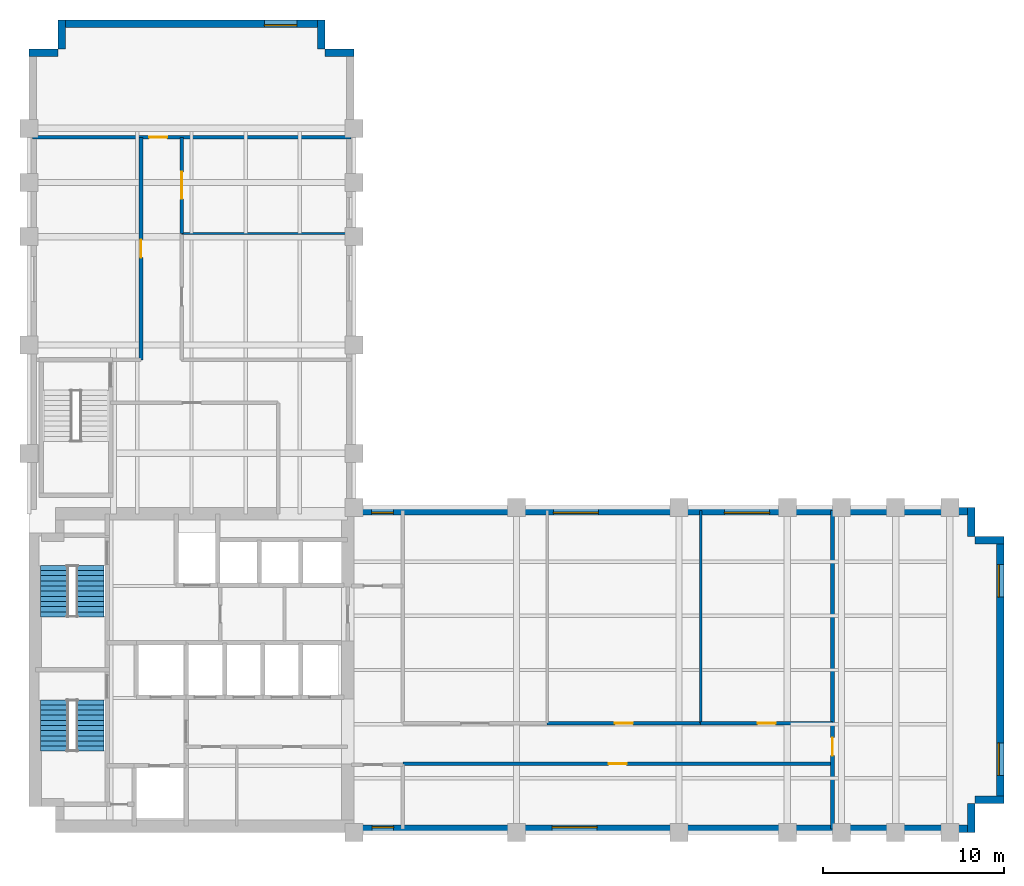
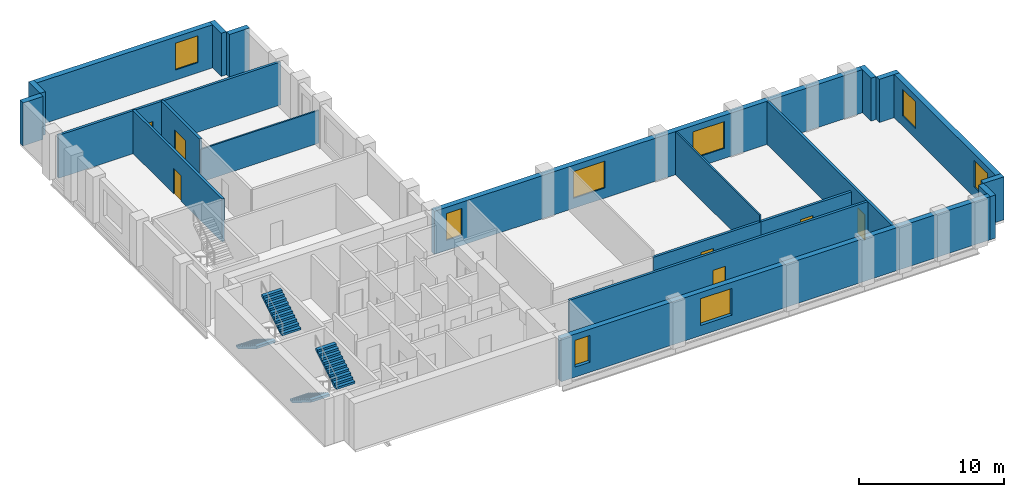
# One storey, part 5 of 7: 21 walls, 8 windows, 7 doors, 4 stair flights, 15 openings, 2 elements without a shape of their own.
"""IFC4 building model written with IfcOpenShell, lengths in metres."""

from ifc_helpers import new_model, si_unit, direction, frame, frame_2d, origin, place, context, subcontext, project, spatial, polyline, rectangle, outline, extrude, material, layer, layer_set, type_object, element, fill, aggregate, save


model = new_model("IFC4")

# Units and contexts
model_context = context("Model", 3, precision=1e-05, world=origin(), true_north=direction((0.0, 1.0)))
body_context = subcontext(model_context, "Body", "Model", "MODEL_VIEW")
ifc_project = project(units=[si_unit("LENGTHUNIT", "METRE"), si_unit("AREAUNIT", "SQUARE_METRE"), si_unit("VOLUMEUNIT", "CUBIC_METRE"), si_unit("PLANEANGLEUNIT", "RADIAN"), si_unit("MASSUNIT", "GRAM", prefix="KILO")], contexts=[model_context])

# Site, building, storey
site_placement = place(None, origin())
site = spatial("IfcSite", under=ifc_project, at=site_placement, CompositionType="ELEMENT")
building_placement = place(site_placement, origin())
building = spatial("IfcBuilding", under=site, at=building_placement, Name="Mawjdan Bourse Tower", CompositionType="ELEMENT")
storey_placement = place(building_placement, frame((0.0, 0.0, 151.800048828125)))
storey = spatial("IfcBuildingStorey", under=building, at=storey_placement, Name="L36", CompositionType="ELEMENT", Elevation=151.800048828125)

# Wall, openings, windows
ifc_material_1 = material(Name="Brick Masonry Buff", Category="masonry")
ifc_layer_1 = layer(ifc_material_1, 0.419921875)
ifc_layer_set_1 = layer_set([ifc_layer_1], Name="Brick Masonry Buff")
wall_type_1 = type_object("IfcWallType", Name="WL-BRK-BUFF-420", PredefinedType="STANDARD", material=ifc_layer_set_1)
wall_1_placement = place(storey_placement, frame((23.89990234375, 3.2099609375, 0.0), z_axis=(0.0, 0.0, 1.0), x_axis=(1.0, 0.0, 0.0)))
wall_1 = element("IfcWall", 1, at=wall_1_placement, inside=storey, type_object=wall_type_1, Name="L36 Exterior Brick Wall 1", PredefinedType="STANDARD", context=body_context, shape_type="SweptSolid", body=[
    extrude(rectangle(XDim=34.5, YDim=0.419921875, at=frame_2d((17.25, 0.0))), origin(), (0.0, 0.0, 1.0), 3.619873046875),
])
opening_1_placement = place(wall_1_placement, frame((11.0712890625, 0.0, 0.85009765625)))
opening_1 = element("IfcOpeningElement", 2, at=opening_1_placement, cuts=wall_1, Name="Opening W-L36-01", PredefinedType="OPENING", context=body_context, shape_type="SweptSolid", body=[
    extrude(rectangle(XDim=2.5, YDim=2.25, at=frame_2d((1.25, 1.125))), frame((0.0, 0.219970703125, 0.0), z_axis=(0.0, -1.0, 0.0), x_axis=(1.0, 0.0, 0.0)), (0.0, 0.0, 1.0), 0.43994140625),
])
opening_2_placement = place(wall_1_placement, frame((1.10009765625, 0.0, 0.85009765625)))
opening_2 = element("IfcOpeningElement", 3, at=opening_2_placement, cuts=wall_1, Name="Opening W-L36-08", PredefinedType="OPENING", context=body_context, shape_type="SweptSolid", body=[
    extrude(rectangle(XDim=1.199951171875, YDim=2.25, at=frame_2d((0.60009765625, 1.125))), frame((0.0, 0.219970703125, 0.0), z_axis=(0.0, -1.0, 0.0), x_axis=(1.0, 0.0, 0.0)), (0.0, 0.0, 1.0), 0.43994140625),
])
ifc_material_2 = material(Name="Solar-Control Clear Double Glazing", Category="glass")
window_type_1 = type_object("IfcWindowType", Name="WN-Z2-1200", PartitioningType="SINGLE_PANEL", PredefinedType="WINDOW", material=ifc_material_2)
window_1_placement = place(opening_2_placement, origin())
window_1 = element("IfcWindow", 4, at=window_1_placement, inside=storey, type_object=window_type_1, Name="L36 Deep-Set Masonry Window W-L36-08", OverallHeight=2.25, OverallWidth=1.199951171875, PartitioningType="SINGLE_PANEL", PredefinedType="WINDOW", context=body_context, shape_type="SweptSolid", body=[
    extrude(rectangle(XDim=1.199951171875, YDim=2.25, at=frame_2d((0.60009765625, 1.125))), frame((0.0, 0.110107421875, 0.0), z_axis=(0.0, -1.0, 0.0), x_axis=(1.0, 0.0, 0.0)), (0.0, 0.0, 1.0), 0.06005859375),
])
fill(opening_2, window_1)
window_type_2 = type_object("IfcWindowType", Name="WN-Z2-2500", PartitioningType="SINGLE_PANEL", PredefinedType="WINDOW", material=ifc_material_2)
window_2_placement = place(opening_1_placement, origin())
window_2 = element("IfcWindow", 5, at=window_2_placement, inside=storey, type_object=window_type_2, Name="L36 Deep-Set Masonry Window W-L36-01", OverallHeight=2.25, OverallWidth=2.5, PartitioningType="SINGLE_PANEL", PredefinedType="WINDOW", context=body_context, shape_type="SweptSolid", body=[
    extrude(rectangle(XDim=2.5, YDim=2.25, at=frame_2d((1.25, 1.125))), frame((0.0, 0.110107421875, 0.0), z_axis=(0.0, -1.0, 0.0), x_axis=(1.0, 0.0, 0.0)), (0.0, 0.0, 1.0), 0.06005859375),
])
fill(opening_1, window_2)

# Walls
for number, where, z_axis, x_axis, name in (
    (6, (58.18994140625, 3.0, 0.0), (0.0, 0.0, 1.0), (0.0, 1.0, 0.0), "L36 Exterior Brick Wall 2"),
    (7, (58.39990234375, 4.81005859375, 0.0), (0.0, 0.0, 1.0), (1.0, 0.0, 0.0), "L36 Exterior Brick Wall 3"),
):
    element("IfcWall", number, at=place(storey_placement, frame(where, z_axis=z_axis, x_axis=x_axis)), inside=storey, type_object=wall_type_1, Name=name, PredefinedType="STANDARD", context=body_context, shape_type="SweptSolid", body=[
        extrude(rectangle(XDim=1.60009765625, YDim=0.419921875, at=frame_2d((0.800048828125, 0.0))), origin(), (0.0, 0.0, 1.0), 3.619873046875),
    ])

# Wall, openings, windows
wall_2_placement = place(storey_placement, frame((59.7900390625, 4.60009765625, 0.0), z_axis=(0.0, 0.0, 1.0), x_axis=(0.0, 1.0, 0.0)))
wall_2 = element("IfcWall", 8, at=wall_2_placement, inside=storey, type_object=wall_type_1, Name="L36 Exterior Brick Wall 4", PredefinedType="STANDARD", context=body_context, shape_type="SweptSolid", body=[
    extrude(rectangle(XDim=14.7998046875, YDim=0.419921875, at=frame_2d((7.39990234375, 0.0))), origin(), (0.0, 0.0, 1.0), 3.619873046875),
])
opening_3_placement = place(wall_2_placement, frame((1.566650390625, 0.0, 0.85009765625)))
opening_3 = element("IfcOpeningElement", 9, at=opening_3_placement, cuts=wall_2, Name="Opening W-L36-02", PredefinedType="OPENING", context=body_context, shape_type="SweptSolid", body=[
    extrude(rectangle(XDim=1.800048828125, YDim=2.25, at=frame_2d((0.89990234375, 1.125))), frame((0.0, 0.219970703125, 0.0), z_axis=(0.0, -1.0, 0.0), x_axis=(1.0, 0.0, 0.0)), (0.0, 0.0, 1.0), 0.43994140625),
])
opening_4_placement = place(wall_2_placement, frame((11.433349609375, 0.0, 0.85009765625)))
opening_4 = element("IfcOpeningElement", 10, at=opening_4_placement, cuts=wall_2, Name="Opening W-L36-03", PredefinedType="OPENING", context=body_context, shape_type="SweptSolid", body=[
    extrude(rectangle(XDim=1.800048828125, YDim=2.25, at=frame_2d((0.89990234375, 1.125))), frame((0.0, 0.219970703125, 0.0), z_axis=(0.0, -1.0, 0.0), x_axis=(1.0, 0.0, 0.0)), (0.0, 0.0, 1.0), 0.43994140625),
])
window_type_3 = type_object("IfcWindowType", Name="WN-Z2-1800", PartitioningType="SINGLE_PANEL", PredefinedType="WINDOW", material=ifc_material_2)
window_3_placement = place(opening_3_placement, origin())
window_3 = element("IfcWindow", 11, at=window_3_placement, inside=storey, type_object=window_type_3, Name="L36 Deep-Set Masonry Window W-L36-02", OverallHeight=2.25, OverallWidth=1.800048828125, PartitioningType="SINGLE_PANEL", PredefinedType="WINDOW", context=body_context, shape_type="SweptSolid", body=[
    extrude(rectangle(XDim=1.800048828125, YDim=2.25, at=frame_2d((0.89990234375, 1.125))), frame((0.0, 0.110107421875, 0.0), z_axis=(0.0, -1.0, 0.0), x_axis=(1.0, 0.0, 0.0)), (0.0, 0.0, 1.0), 0.06005859375),
])
fill(opening_3, window_3)
window_4_placement = place(opening_4_placement, origin())
window_4 = element("IfcWindow", 12, at=window_4_placement, inside=storey, type_object=window_type_3, Name="L36 Deep-Set Masonry Window W-L36-03", OverallHeight=2.25, OverallWidth=1.800048828125, PartitioningType="SINGLE_PANEL", PredefinedType="WINDOW", context=body_context, shape_type="SweptSolid", body=[
    extrude(rectangle(XDim=1.800048828125, YDim=2.25, at=frame_2d((0.89990234375, 1.125))), frame((0.0, 0.110107421875, 0.0), z_axis=(0.0, -1.0, 0.0), x_axis=(1.0, 0.0, 0.0)), (0.0, 0.0, 1.0), 0.06005859375),
])
fill(opening_4, window_4)

# Walls
for number, where, z_axis, x_axis, name in (
    (13, (60.0, 19.18994140625, 0.0), (0.0, 0.0, 1.0), (-1.0, 0.0, 0.0), "L36 Exterior Brick Wall 5"),
    (14, (58.18994140625, 19.39990234375, 0.0), (0.0, 0.0, 1.0), (0.0, 1.0, 0.0), "L36 Exterior Brick Wall 6"),
):
    element("IfcWall", number, at=place(storey_placement, frame(where, z_axis=z_axis, x_axis=x_axis)), inside=storey, type_object=wall_type_1, Name=name, PredefinedType="STANDARD", context=body_context, shape_type="SweptSolid", body=[
        extrude(rectangle(XDim=1.60009765625, YDim=0.419921875, at=frame_2d((0.800048828125, 0.0))), origin(), (0.0, 0.0, 1.0), 3.619873046875),
    ])

# Wall, openings, windows
wall_3_placement = place(storey_placement, frame((58.39990234375, 20.7900390625, 0.0), z_axis=(0.0, 0.0, 1.0), x_axis=(-1.0, 0.0, 0.0)))
wall_3 = element("IfcWall", 15, at=wall_3_placement, inside=storey, type_object=wall_type_1, Name="L36 Exterior Brick Wall 7", PredefinedType="STANDARD", context=body_context, shape_type="SweptSolid", body=[
    extrude(rectangle(XDim=34.39990234375, YDim=0.419921875, at=frame_2d((17.199951171875, 0.0))), origin(), (0.0, 0.0, 1.0), 3.619873046875),
])
opening_5_placement = place(wall_3_placement, frame((20.8642578125, 0.0, 0.85009765625)))
opening_5 = element("IfcOpeningElement", 16, at=opening_5_placement, cuts=wall_3, Name="Opening W-L36-04", PredefinedType="OPENING", context=body_context, shape_type="SweptSolid", body=[
    extrude(rectangle(XDim=2.5, YDim=2.25, at=frame_2d((1.25, 1.125))), frame((0.0, 0.219970703125, 0.0), z_axis=(0.0, -1.0, 0.0), x_axis=(1.0, 0.0, 0.0)), (0.0, 0.0, 1.0), 0.43994140625),
])
opening_6_placement = place(wall_3_placement, frame((32.22216796875, 0.0, 0.85009765625)))
opening_6 = element("IfcOpeningElement", 17, at=opening_6_placement, cuts=wall_3, Name="Opening W-L36-09", PredefinedType="OPENING", context=body_context, shape_type="SweptSolid", body=[
    extrude(rectangle(XDim=1.199951171875, YDim=2.25, at=frame_2d((0.60009765625, 1.125))), frame((0.0, 0.219970703125, 0.0), z_axis=(0.0, -1.0, 0.0), x_axis=(1.0, 0.0, 0.0)), (0.0, 0.0, 1.0), 0.43994140625),
])
opening_7_placement = place(wall_3_placement, frame((11.38623046875, 0.0, 0.85009765625)))
opening_7 = element("IfcOpeningElement", 18, at=opening_7_placement, cuts=wall_3, Name="Opening W-L36-10", PredefinedType="OPENING", context=body_context, shape_type="SweptSolid", body=[
    extrude(rectangle(XDim=2.5, YDim=2.25, at=frame_2d((1.25, 1.125))), frame((0.0, 0.219970703125, 0.0), z_axis=(0.0, -1.0, 0.0), x_axis=(1.0, 0.0, 0.0)), (0.0, 0.0, 1.0), 0.43994140625),
])
window_5_placement = place(opening_6_placement, origin())
window_5 = element("IfcWindow", 19, at=window_5_placement, inside=storey, type_object=window_type_1, Name="L36 Deep-Set Masonry Window W-L36-09", OverallHeight=2.25, OverallWidth=1.199951171875, PartitioningType="SINGLE_PANEL", PredefinedType="WINDOW", context=body_context, shape_type="SweptSolid", body=[
    extrude(rectangle(XDim=1.199951171875, YDim=2.25, at=frame_2d((0.60009765625, 1.125))), frame((0.0, 0.110107421875, 0.0), z_axis=(0.0, -1.0, 0.0), x_axis=(1.0, 0.0, 0.0)), (0.0, 0.0, 1.0), 0.06005859375),
])
fill(opening_6, window_5)
window_6_placement = place(opening_5_placement, origin())
window_6 = element("IfcWindow", 20, at=window_6_placement, inside=storey, type_object=window_type_2, Name="L36 Deep-Set Masonry Window W-L36-04", OverallHeight=2.25, OverallWidth=2.5, PartitioningType="SINGLE_PANEL", PredefinedType="WINDOW", context=body_context, shape_type="SweptSolid", body=[
    extrude(rectangle(XDim=2.5, YDim=2.25, at=frame_2d((1.25, 1.125))), frame((0.0, 0.110107421875, 0.0), z_axis=(0.0, -1.0, 0.0), x_axis=(1.0, 0.0, 0.0)), (0.0, 0.0, 1.0), 0.06005859375),
])
fill(opening_5, window_6)
window_7_placement = place(opening_7_placement, origin())
window_7 = element("IfcWindow", 21, at=window_7_placement, inside=storey, type_object=window_type_2, Name="L36 Deep-Set Masonry Window W-L36-10", OverallHeight=2.25, OverallWidth=2.5, PartitioningType="SINGLE_PANEL", PredefinedType="WINDOW", context=body_context, shape_type="SweptSolid", body=[
    extrude(rectangle(XDim=2.5, YDim=2.25, at=frame_2d((1.25, 1.125))), frame((0.0, 0.110107421875, 0.0), z_axis=(0.0, -1.0, 0.0), x_axis=(1.0, 0.0, 0.0)), (0.0, 0.0, 1.0), 0.06005859375),
])
fill(opening_7, window_7)

# Walls
for number, where, z_axis, x_axis, name in (
    (22, (24.0, 46.18994140625, 0.0), (0.0, 0.0, 1.0), (-1.0, 0.0, 0.0), "L36 Exterior Brick Wall 9"),
    (23, (22.18994140625, 46.39990234375, 0.0), (0.0, 0.0, 1.0), (0.0, 1.0, 0.0), "L36 Exterior Brick Wall 10"),
):
    element("IfcWall", number, at=place(storey_placement, frame(where, z_axis=z_axis, x_axis=x_axis)), inside=storey, type_object=wall_type_1, Name=name, PredefinedType="STANDARD", context=body_context, shape_type="SweptSolid", body=[
        extrude(rectangle(XDim=1.60009765625, YDim=0.419921875, at=frame_2d((0.800048828125, 0.0))), origin(), (0.0, 0.0, 1.0), 3.619873046875),
    ])

# Wall, opening, window
wall_4_placement = place(storey_placement, frame((22.39990234375, 47.7900390625, 0.0), z_axis=(0.0, 0.0, 1.0), x_axis=(-1.0, 0.0, 0.0)))
wall_4 = element("IfcWall", 24, at=wall_4_placement, inside=storey, type_object=wall_type_1, Name="L36 Exterior Brick Wall 11", PredefinedType="STANDARD", context=body_context, shape_type="SweptSolid", body=[
    extrude(rectangle(XDim=14.7998046875, YDim=0.419921875, at=frame_2d((7.39990234375, 0.0))), origin(), (0.0, 0.0, 1.0), 3.619873046875),
])
opening_8_placement = place(wall_4_placement, frame((1.566650390625, 0.0, 0.85009765625)))
opening_8 = element("IfcOpeningElement", 25, at=opening_8_placement, cuts=wall_4, Name="Opening W-L36-06", PredefinedType="OPENING", context=body_context, shape_type="SweptSolid", body=[
    extrude(rectangle(XDim=1.800048828125, YDim=2.25, at=frame_2d((0.89990234375, 1.125))), frame((0.0, 0.219970703125, 0.0), z_axis=(0.0, -1.0, 0.0), x_axis=(1.0, 0.0, 0.0)), (0.0, 0.0, 1.0), 0.43994140625),
])
window_8_placement = place(opening_8_placement, origin())
window_8 = element("IfcWindow", 26, at=window_8_placement, inside=storey, type_object=window_type_3, Name="L36 Deep-Set Masonry Window W-L36-06", OverallHeight=2.25, OverallWidth=1.800048828125, PartitioningType="SINGLE_PANEL", PredefinedType="WINDOW", context=body_context, shape_type="SweptSolid", body=[
    extrude(rectangle(XDim=1.800048828125, YDim=2.25, at=frame_2d((0.89990234375, 1.125))), frame((0.0, 0.110107421875, 0.0), z_axis=(0.0, -1.0, 0.0), x_axis=(1.0, 0.0, 0.0)), (0.0, 0.0, 1.0), 0.06005859375),
])
fill(opening_8, window_8)

# Walls
for number, where, z_axis, x_axis, name in (
    (27, (7.81005859375, 48.0, 0.0), (0.0, 0.0, 1.0), (0.0, -1.0, 0.0), "L36 Exterior Brick Wall 12"),
    (28, (7.60009765625, 46.18994140625, 0.0), (0.0, 0.0, 1.0), (-1.0, 0.0, 0.0), "L36 Exterior Brick Wall 13"),
):
    element("IfcWall", number, at=place(storey_placement, frame(where, z_axis=z_axis, x_axis=x_axis)), inside=storey, type_object=wall_type_1, Name=name, PredefinedType="STANDARD", context=body_context, shape_type="SweptSolid", body=[
        extrude(rectangle(XDim=1.60009765625, YDim=0.419921875, at=frame_2d((0.800048828125, 0.0))), origin(), (0.0, 0.0, 1.0), 3.619873046875),
    ])

# Wall, opening, door
ifc_material_3 = material(Name="Gypsum Fireboard Assembly")
ifc_layer_2 = layer(ifc_material_3, 0.199951171875)
ifc_layer_set_2 = layer_set([ifc_layer_2], Name="Gypsum Fireboard Assembly")
wall_type_2 = type_object("IfcWallType", Name="WL-CMP-200", PredefinedType="PARTITIONING", material=ifc_layer_set_2)
wall_5_placement = place(storey_placement, frame((26.699951171875, 6.800048828125, 0.0), z_axis=(0.0, 0.0, 1.0), x_axis=(1.0, 0.0, 0.0)))
wall_5 = element("IfcWall", 29, at=wall_5_placement, inside=storey, type_object=wall_type_2, Name="L36 Equities Research Library Corridor Wall", PredefinedType="PARTITIONING", context=body_context, shape_type="SweptSolid", body=[
    extrude(rectangle(XDim=23.800048828125, YDim=0.199951171875, at=frame_2d((11.89990234375, 0.0))), origin(), (0.0, 0.0, 1.0), 3.60986328125),
])
opening_9_placement = place(wall_5_placement, frame((11.39990234375, 0.0, 0.0)))
opening_9 = element("IfcOpeningElement", 30, at=opening_9_placement, cuts=wall_5, Name="Opening D-L36-21", PredefinedType="OPENING", context=body_context, shape_type="SweptSolid", body=[
    extrude(rectangle(XDim=1.0, YDim=2.14990234375, at=frame_2d((0.5, 1.074951171875))), frame((0.0, 0.10986328125, 0.0), z_axis=(0.0, -1.0, 0.0), x_axis=(1.0, 0.0, 0.0)), (0.0, 0.0, 1.0), 0.219970703125),
])
ifc_material_4 = material(Name="Hardwood Acoustic Leaf", Category="wood")
door_type_1 = type_object("IfcDoorType", Name="DR-OFC-1000", OperationType="NOTDEFINED", PredefinedType="DOOR", material=ifc_material_4)
door_1_placement = place(opening_9_placement, origin())
door_1 = element("IfcDoor", 31, at=door_1_placement, inside=storey, type_object=door_type_1, Name="L36 Equities Research Library Door D-L36-21", OperationType="SINGLE_SWING_RIGHT", OverallHeight=2.14990234375, OverallWidth=1.0, PredefinedType="DOOR", context=body_context, shape_type="SweptSolid", body=[
    extrude(rectangle(XDim=1.0, YDim=2.14990234375, at=frame_2d((0.5, 1.074951171875))), frame((0.0, 0.02490234375, 0.0), z_axis=(0.0, -1.0, 0.0), x_axis=(1.0, 0.0, 0.0)), (0.0, 0.0, 1.0), 0.050048828125),
])
fill(opening_9, door_1)

wall_6_placement = place(storey_placement, frame((34.699951171875, 9.050048828125, 0.0), z_axis=(0.0, 0.0, 1.0), x_axis=(1.0, 0.0, 0.0)))
wall_6 = element("IfcWall", 32, at=wall_6_placement, inside=storey, type_object=wall_type_2, Name="L36 Executive Office Corridor Wall", PredefinedType="PARTITIONING", context=body_context, shape_type="SweptSolid", body=[
    extrude(rectangle(XDim=8.5, YDim=0.199951171875, at=frame_2d((4.25, 0.0))), origin(), (0.0, 0.0, 1.0), 3.06591796875),
])
opening_10_placement = place(wall_6_placement, frame((3.75, 0.0, 0.0)))
opening_10 = element("IfcOpeningElement", 33, at=opening_10_placement, cuts=wall_6, Name="Opening D-L36-23", PredefinedType="OPENING", context=body_context, shape_type="SweptSolid", body=[
    extrude(rectangle(XDim=1.0, YDim=2.14990234375, at=frame_2d((0.5, 1.074951171875))), frame((0.0, 0.10986328125, 0.0), z_axis=(0.0, -1.0, 0.0), x_axis=(1.0, 0.0, 0.0)), (0.0, 0.0, 1.0), 0.219970703125),
])
door_2_placement = place(opening_10_placement, origin())
door_2 = element("IfcDoor", 34, at=door_2_placement, inside=storey, type_object=door_type_1, Name="L36 Executive Office Door D-L36-23", OperationType="SINGLE_SWING_LEFT", OverallHeight=2.14990234375, OverallWidth=1.0, PredefinedType="DOOR", context=body_context, shape_type="SweptSolid", body=[
    extrude(rectangle(XDim=1.0, YDim=2.14990234375, at=frame_2d((0.5, 1.074951171875))), frame((0.0, 0.02490234375, 0.0), z_axis=(0.0, -1.0, 0.0), x_axis=(1.0, 0.0, 0.0)), (0.0, 0.0, 1.0), 0.050048828125),
])
fill(opening_10, door_2)

wall_7_placement = place(storey_placement, frame((43.199951171875, 9.050048828125, 0.0), z_axis=(0.0, 0.0, 1.0), x_axis=(1.0, 0.0, 0.0)))
wall_7 = element("IfcWall", 35, at=wall_7_placement, inside=storey, type_object=wall_type_2, Name="L36 Client Advisory Suite Corridor Wall", PredefinedType="PARTITIONING", context=body_context, shape_type="SweptSolid", body=[
    extrude(rectangle(XDim=7.300048828125, YDim=0.199951171875, at=frame_2d((3.64990234375, 0.0))), origin(), (0.0, 0.0, 1.0), 3.06591796875),
])
opening_11_placement = place(wall_7_placement, frame((3.14990234375, 0.0, 0.0)))
opening_11 = element("IfcOpeningElement", 36, at=opening_11_placement, cuts=wall_7, Name="Opening D-L36-24", PredefinedType="OPENING", context=body_context, shape_type="SweptSolid", body=[
    extrude(rectangle(XDim=1.0, YDim=2.14990234375, at=frame_2d((0.5, 1.074951171875))), frame((0.0, 0.10986328125, 0.0), z_axis=(0.0, -1.0, 0.0), x_axis=(1.0, 0.0, 0.0)), (0.0, 0.0, 1.0), 0.219970703125),
])
door_3_placement = place(opening_11_placement, origin())
door_3 = element("IfcDoor", 37, at=door_3_placement, inside=storey, type_object=door_type_1, Name="L36 Client Advisory Suite Door D-L36-24", OperationType="SINGLE_SWING_RIGHT", OverallHeight=2.14990234375, OverallWidth=1.0, PredefinedType="DOOR", context=body_context, shape_type="SweptSolid", body=[
    extrude(rectangle(XDim=1.0, YDim=2.14990234375, at=frame_2d((0.5, 1.074951171875))), frame((0.0, 0.02490234375, 0.0), z_axis=(0.0, -1.0, 0.0), x_axis=(1.0, 0.0, 0.0)), (0.0, 0.0, 1.0), 0.050048828125),
])
fill(opening_11, door_3)

wall_8_placement = place(storey_placement, frame((50.5, 3.179931640625, 0.0), z_axis=(0.0, 0.0, 1.0), x_axis=(0.0, 1.0, 0.0)))
wall_8 = element("IfcWall", 38, at=wall_8_placement, inside=storey, type_object=wall_type_2, Name="L36 East Tip Full Cross Wall", PredefinedType="PARTITIONING", context=body_context, shape_type="SweptSolid", body=[
    extrude(rectangle(XDim=17.64013671875, YDim=0.199951171875, at=frame_2d((8.820068359375, 0.0))), origin(), (0.0, 0.0, 1.0), 3.60986328125),
])
opening_12_placement = place(wall_8_placement, frame((4.074951171875, 0.0, 0.0)))
opening_12 = element("IfcOpeningElement", 39, at=opening_12_placement, cuts=wall_8, Name="Opening D-L36-25", PredefinedType="OPENING", context=body_context, shape_type="SweptSolid", body=[
    extrude(rectangle(XDim=1.0, YDim=2.14990234375, at=frame_2d((0.5, 1.074951171875))), frame((0.0, 0.10986328125, 0.0), z_axis=(0.0, -1.0, 0.0), x_axis=(1.0, 0.0, 0.0)), (0.0, 0.0, 1.0), 0.219970703125),
])
door_4_placement = place(opening_12_placement, origin())
door_4 = element("IfcDoor", 40, at=door_4_placement, inside=storey, type_object=door_type_1, Name="L36 East Tip Hall Door D-L36-25", OperationType="SINGLE_SWING_LEFT", OverallHeight=2.14990234375, OverallWidth=1.0, PredefinedType="DOOR", context=body_context, shape_type="SweptSolid", body=[
    extrude(rectangle(XDim=1.0, YDim=2.14990234375, at=frame_2d((0.5, 1.074951171875))), frame((0.0, 0.02490234375, 0.0), z_axis=(0.0, -1.0, 0.0), x_axis=(1.0, 0.0, 0.0)), (0.0, 0.0, 1.0), 0.050048828125),
])
fill(opening_12, door_4)

wall_9_placement = place(storey_placement, frame((12.199951171875, 29.179931640625, 0.0), z_axis=(0.0, 0.0, 1.0), x_axis=(0.0, 1.0, 0.0)))
wall_9 = element("IfcWall", 41, at=wall_9_placement, inside=storey, type_object=wall_type_2, Name="L36 Investor Relations Office Corridor Wall", PredefinedType="PARTITIONING", context=body_context, shape_type="SweptSolid", body=[
    extrude(rectangle(XDim=12.320068359375, YDim=0.199951171875, at=frame_2d((6.16015625, 0.0))), origin(), (0.0, 0.0, 1.0), 3.60986328125),
])
opening_13_placement = place(wall_9_placement, frame((5.659912109375, 0.0, 0.0)))
opening_13 = element("IfcOpeningElement", 42, at=opening_13_placement, cuts=wall_9, Name="Opening D-L36-27", PredefinedType="OPENING", context=body_context, shape_type="SweptSolid", body=[
    extrude(rectangle(XDim=1.0, YDim=2.14990234375, at=frame_2d((0.5, 1.074951171875))), frame((0.0, 0.10986328125, 0.0), z_axis=(0.0, -1.0, 0.0), x_axis=(1.0, 0.0, 0.0)), (0.0, 0.0, 1.0), 0.219970703125),
])
door_5_placement = place(opening_13_placement, origin())
door_5 = element("IfcDoor", 43, at=door_5_placement, inside=storey, type_object=door_type_1, Name="L36 Investor Relations Office Door D-L36-27", OperationType="SINGLE_SWING_LEFT", OverallHeight=2.14990234375, OverallWidth=1.0, PredefinedType="DOOR", context=body_context, shape_type="SweptSolid", body=[
    extrude(rectangle(XDim=1.0, YDim=2.14990234375, at=frame_2d((0.5, 1.074951171875))), frame((0.0, 0.02490234375, 0.0), z_axis=(0.0, -1.0, 0.0), x_axis=(1.0, 0.0, 0.0)), (0.0, 0.0, 1.0), 0.050048828125),
])
fill(opening_13, door_5)

wall_10_placement = place(storey_placement, frame((14.449951171875, 36.179931640625, 0.0), z_axis=(0.0, 0.0, 1.0), x_axis=(0.0, 1.0, 0.0)))
wall_10 = element("IfcWall", 44, at=wall_10_placement, inside=storey, type_object=wall_type_2, Name="L36 Client Advisory Suite Corridor Wall", PredefinedType="PARTITIONING", context=body_context, shape_type="SweptSolid", body=[
    extrude(rectangle(XDim=5.320068359375, YDim=0.199951171875, at=frame_2d((2.66015625, 0.0))), origin(), (0.0, 0.0, 1.0), 3.60986328125),
])
opening_14_placement = place(wall_10_placement, frame((1.909912109375, 0.0, 0.0)))
opening_14 = element("IfcOpeningElement", 45, at=opening_14_placement, cuts=wall_10, Name="Opening D-L36-29", PredefinedType="OPENING", context=body_context, shape_type="SweptSolid", body=[
    extrude(rectangle(XDim=1.5, YDim=2.300048828125, at=frame_2d((0.75, 1.14990234375))), frame((0.0, 0.10986328125, 0.0), z_axis=(0.0, -1.0, 0.0), x_axis=(1.0, 0.0, 0.0)), (0.0, 0.0, 1.0), 0.219970703125),
])
ifc_material_5 = material(Name="Acoustic Glazed Timber", Category="wood")
door_type_2 = type_object("IfcDoorType", Name="DR-CNF-1500", OperationType="DOUBLE_DOOR_SINGLE_SWING", PredefinedType="DOOR", material=ifc_material_5)
door_6_placement = place(opening_14_placement, origin())
door_6 = element("IfcDoor", 46, at=door_6_placement, inside=storey, type_object=door_type_2, Name="L36 Client Advisory Suite Door D-L36-29", OperationType="DOUBLE_DOOR_SINGLE_SWING", OverallHeight=2.300048828125, OverallWidth=1.5, PredefinedType="DOOR", context=body_context, shape_type="SweptSolid", body=[
    extrude(rectangle(XDim=1.5, YDim=2.300048828125, at=frame_2d((0.75, 1.14990234375))), frame((0.0, 0.02490234375, 0.0), z_axis=(0.0, -1.0, 0.0), x_axis=(1.0, 0.0, 0.0)), (0.0, 0.0, 1.0), 0.050048828125),
])
fill(opening_14, door_6)

wall_11_placement = place(storey_placement, frame((6.179931640625, 41.5, 0.0), z_axis=(0.0, 0.0, 1.0), x_axis=(1.0, 0.0, 0.0)))
wall_11 = element("IfcWall", 47, at=wall_11_placement, inside=storey, type_object=wall_type_2, Name="L36 North Tip Full Cross Wall", PredefinedType="PARTITIONING", context=body_context, shape_type="SweptSolid", body=[
    extrude(rectangle(XDim=17.64013671875, YDim=0.199951171875, at=frame_2d((8.820068359375, 0.0))), origin(), (0.0, 0.0, 1.0), 3.60986328125),
])
opening_15_placement = place(wall_11_placement, frame((6.47509765625, 0.0, 0.0)))
opening_15 = element("IfcOpeningElement", 48, at=opening_15_placement, cuts=wall_11, Name="Opening D-L36-30", PredefinedType="OPENING", context=body_context, shape_type="SweptSolid", body=[
    extrude(rectangle(XDim=1.0, YDim=2.14990234375, at=frame_2d((0.5, 1.074951171875))), frame((0.0, 0.10986328125, 0.0), z_axis=(0.0, -1.0, 0.0), x_axis=(1.0, 0.0, 0.0)), (0.0, 0.0, 1.0), 0.219970703125),
])
door_7_placement = place(opening_15_placement, origin())
door_7 = element("IfcDoor", 49, at=door_7_placement, inside=storey, type_object=door_type_1, Name="L36 North Tip Suite Door D-L36-30", OperationType="SINGLE_SWING_LEFT", OverallHeight=2.14990234375, OverallWidth=1.0, PredefinedType="DOOR", context=body_context, shape_type="SweptSolid", body=[
    extrude(rectangle(XDim=1.0, YDim=2.14990234375, at=frame_2d((0.5, 1.074951171875))), frame((0.0, 0.02490234375, 0.0), z_axis=(0.0, -1.0, 0.0), x_axis=(1.0, 0.0, 0.0)), (0.0, 0.0, 1.0), 0.050048828125),
])
fill(opening_15, door_7)

# Walls
ifc_material_6 = material(Name="Gypsum Partition")
ifc_layer_3 = layer(ifc_material_6, 0.125)
ifc_layer_set_3 = layer_set([ifc_layer_3], Name="Gypsum Partition")
wall_type_3 = type_object("IfcWallType", Name="WL-PRT-125", PredefinedType="PARTITIONING", material=ifc_layer_set_3)
wall_12_placement = place(storey_placement, frame((43.199951171875, 9.050048828125, 0.0), z_axis=(0.0, 0.0, 1.0), x_axis=(0.0, 1.0, 0.0)))
element("IfcWall", 50, at=wall_12_placement, inside=storey, type_object=wall_type_3, Name="L36 Client Advisory Suite Partition", PredefinedType="PARTITIONING", context=body_context, shape_type="SweptSolid", body=[
    extrude(rectangle(XDim=11.77001953125, YDim=0.125, at=frame_2d((5.885009765625, 0.0))), origin(), (0.0, 0.0, 1.0), 3.60986328125),
])
wall_13_placement = place(storey_placement, frame((14.449951171875, 36.179931640625, 0.0), z_axis=(0.0, 0.0, 1.0), x_axis=(1.0, 0.0, 0.0)))
element("IfcWall", 51, at=wall_13_placement, inside=storey, type_object=wall_type_3, Name="L36 Client Advisory Suite Partition", PredefinedType="PARTITIONING", context=body_context, shape_type="SweptSolid", body=[
    extrude(rectangle(XDim=9.3701171875, YDim=0.125, at=frame_2d((4.68505859375, 0.0))), origin(), (0.0, 0.0, 1.0), 2.75390625),
])

# Stair, stair flights
ifc_material_7 = material(Name="Concrete C50/60", Category="concrete")
stair_type = type_object("IfcStairType", Name="STR-CORE-1500", PredefinedType="HALF_TURN_STAIR", material=ifc_material_7)
stair_1_placement = place(storey_placement, origin())
stair_1 = element("IfcStair", 52, at=stair_1_placement, inside=storey, type_object=stair_type, Name="L36 Exit Stair 1 (Core South-West)", PredefinedType="HALF_TURN_STAIR")
stair_flight_type = type_object("IfcStairFlightType", Name="SFL-RC-1500", PredefinedType="STRAIGHT", material=ifc_material_7)
stair_flight_1_placement = place(storey_placement, frame((7.389892578125, 10.35009765625, 0.0), z_axis=(0.0, 0.0, 1.0), x_axis=(0.0, -1.0, 0.0)))
stair_flight_1 = element("IfcStairFlight", 53, at=stair_flight_1_placement, type_object=stair_flight_type, Name="ST1-L36 flight 1", NumberOfRisers=11, NumberOfTreads=10, PredefinedType="STRAIGHT", RiserHeight=0.177273, TreadLength=0.285, context=body_context, shape_type="SweptSolid", body=[
    extrude(outline(polyline([(0.0, 0.0), (0.0, 0.17724609375), (0.284912109375, 0.17724609375), (0.284912109375, 0.3544921875), (0.570068359375, 0.3544921875), (0.570068359375, 0.53173828125), (0.85498046875, 0.53173828125), (0.85498046875, 0.708984375), (1.139892578125, 0.708984375), (1.139892578125, 0.886474609375), (1.425048828125, 0.886474609375), (1.425048828125, 1.063720703125), (1.7099609375, 1.063720703125), (1.7099609375, 1.240966796875), (1.9951171875, 1.240966796875), (1.9951171875, 1.418212890625), (2.280029296875, 1.418212890625), (2.280029296875, 1.595458984375), (2.56494140625, 1.595458984375), (2.56494140625, 1.772705078125), (2.85009765625, 1.772705078125), (2.85009765625, 1.949951171875), (2.85009765625, 1.58447265625), (0.302734375, 0.0), (0.0, 0.0)])), frame((0.0, 0.75, 0.0), z_axis=(0.0, -1.0, 0.0), x_axis=(1.0, 0.0, 0.0)), (0.0, 0.0, 1.0), 1.5),
])
stair_flight_2_placement = place(storey_placement, frame((9.409912109375, 7.5, 1.949951171875), z_axis=(0.0, 0.0, 1.0), x_axis=(0.0, 1.0, 0.0)))
stair_flight_2 = element("IfcStairFlight", 54, at=stair_flight_2_placement, type_object=stair_flight_type, Name="ST1-L36 flight 2", NumberOfRisers=11, NumberOfTreads=10, PredefinedType="STRAIGHT", RiserHeight=0.177273, TreadLength=0.285, context=body_context, shape_type="SweptSolid", body=[
    extrude(outline(polyline([(0.0, 0.0), (0.0, 0.17724609375), (0.284912109375, 0.17724609375), (0.284912109375, 0.3544921875), (0.570068359375, 0.3544921875), (0.570068359375, 0.53173828125), (0.85498046875, 0.53173828125), (0.85498046875, 0.708984375), (1.139892578125, 0.708984375), (1.139892578125, 0.886474609375), (1.425048828125, 0.886474609375), (1.425048828125, 1.063720703125), (1.7099609375, 1.063720703125), (1.7099609375, 1.240966796875), (1.9951171875, 1.240966796875), (1.9951171875, 1.418212890625), (2.280029296875, 1.418212890625), (2.280029296875, 1.595458984375), (2.56494140625, 1.595458984375), (2.56494140625, 1.772705078125), (2.85009765625, 1.772705078125), (2.85009765625, 1.949951171875), (2.85009765625, 1.58447265625), (0.302734375, 0.0), (0.0, 0.0)])), frame((0.0, 0.75, 0.0), z_axis=(0.0, -1.0, 0.0), x_axis=(1.0, 0.0, 0.0)), (0.0, 0.0, 1.0), 1.5),
])
aggregate(stair_1, [stair_flight_1, stair_flight_2])

stair_2_placement = place(storey_placement, origin())
stair_2 = element("IfcStair", 55, at=stair_2_placement, inside=storey, type_object=stair_type, Name="L36 Exit Stair 2 (Core North-West)", PredefinedType="HALF_TURN_STAIR")
stair_flight_3_placement = place(storey_placement, frame((7.389892578125, 17.7900390625, 0.0), z_axis=(0.0, 0.0, 1.0), x_axis=(0.0, -1.0, 0.0)))
stair_flight_3 = element("IfcStairFlight", 56, at=stair_flight_3_placement, type_object=stair_flight_type, Name="ST2-L36 flight 1", NumberOfRisers=11, NumberOfTreads=10, PredefinedType="STRAIGHT", RiserHeight=0.177273, TreadLength=0.285, context=body_context, shape_type="SweptSolid", body=[
    extrude(outline(polyline([(0.0, 0.0), (0.0, 0.17724609375), (0.284912109375, 0.17724609375), (0.284912109375, 0.3544921875), (0.570068359375, 0.3544921875), (0.570068359375, 0.53173828125), (0.85498046875, 0.53173828125), (0.85498046875, 0.708984375), (1.139892578125, 0.708984375), (1.139892578125, 0.886474609375), (1.425048828125, 0.886474609375), (1.425048828125, 1.063720703125), (1.7099609375, 1.063720703125), (1.7099609375, 1.240966796875), (1.9951171875, 1.240966796875), (1.9951171875, 1.418212890625), (2.280029296875, 1.418212890625), (2.280029296875, 1.595458984375), (2.56494140625, 1.595458984375), (2.56494140625, 1.772705078125), (2.85009765625, 1.772705078125), (2.85009765625, 1.949951171875), (2.85009765625, 1.58447265625), (0.302734375, 0.0), (0.0, 0.0)])), frame((0.0, 0.75, 0.0), z_axis=(0.0, -1.0, 0.0), x_axis=(1.0, 0.0, 0.0)), (0.0, 0.0, 1.0), 1.5),
])
stair_flight_4_placement = place(storey_placement, frame((9.409912109375, 14.93994140625, 1.949951171875), z_axis=(0.0, 0.0, 1.0), x_axis=(0.0, 1.0, 0.0)))
stair_flight_4 = element("IfcStairFlight", 57, at=stair_flight_4_placement, type_object=stair_flight_type, Name="ST2-L36 flight 2", NumberOfRisers=11, NumberOfTreads=10, PredefinedType="STRAIGHT", RiserHeight=0.177273, TreadLength=0.285, context=body_context, shape_type="SweptSolid", body=[
    extrude(outline(polyline([(0.0, 0.0), (0.0, 0.17724609375), (0.284912109375, 0.17724609375), (0.284912109375, 0.3544921875), (0.570068359375, 0.3544921875), (0.570068359375, 0.53173828125), (0.85498046875, 0.53173828125), (0.85498046875, 0.708984375), (1.139892578125, 0.708984375), (1.139892578125, 0.886474609375), (1.425048828125, 0.886474609375), (1.425048828125, 1.063720703125), (1.7099609375, 1.063720703125), (1.7099609375, 1.240966796875), (1.9951171875, 1.240966796875), (1.9951171875, 1.418212890625), (2.280029296875, 1.418212890625), (2.280029296875, 1.595458984375), (2.56494140625, 1.595458984375), (2.56494140625, 1.772705078125), (2.85009765625, 1.772705078125), (2.85009765625, 1.949951171875), (2.85009765625, 1.58447265625), (0.302734375, 0.0), (0.0, 0.0)])), frame((0.0, 0.75, 0.0), z_axis=(0.0, -1.0, 0.0), x_axis=(1.0, 0.0, 0.0)), (0.0, 0.0, 1.0), 1.5),
])
aggregate(stair_2, [stair_flight_3, stair_flight_4])

save(model, "model.ifc")
